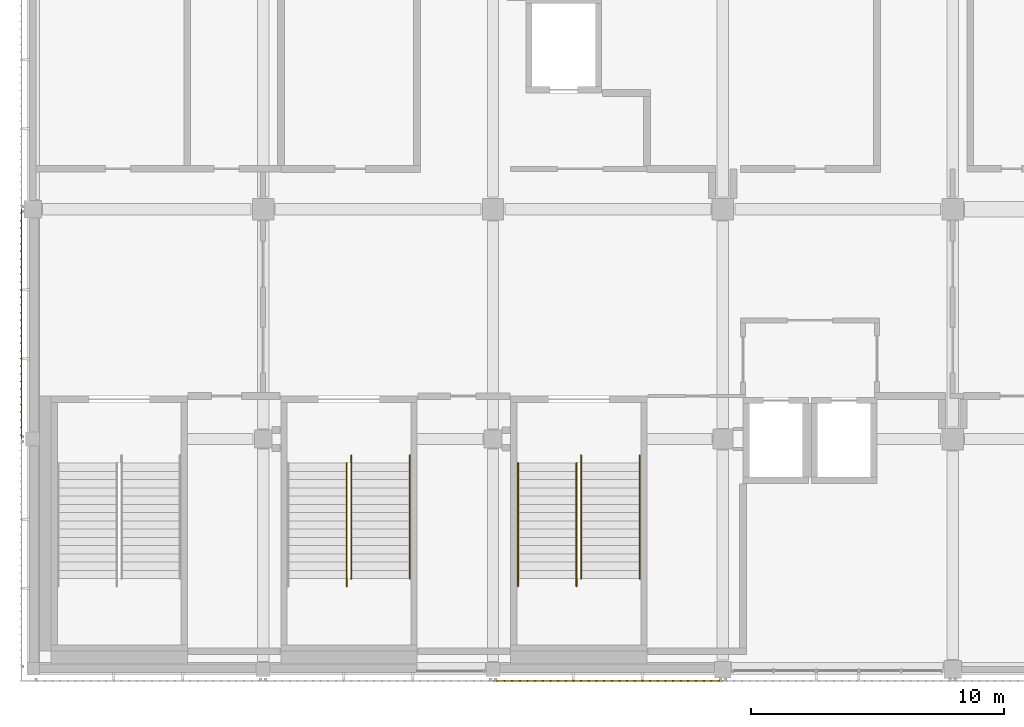
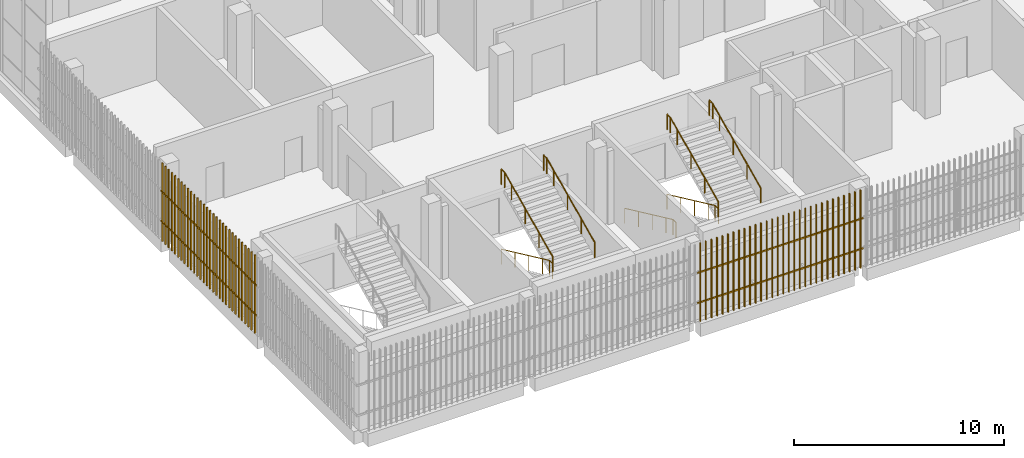
# One storey, part 108 of 126: 7 railings, 2 shading devices.
"""IFC4 building model written with IfcOpenShell, lengths in metres."""

import ifcopenshell
import ifcopenshell.guid

model = None  # the IFC model being written
_history = None  # IfcOwnerHistory: only IFC2X3 demands one
_inside = {}  # id of a spatial element -> (the spatial element, [elements in it])
_under = {}  # id of a project, library or spatial element -> (it, [spatial elements below it])
_declared = {}  # id of a project -> (the project, [libraries it declares])
_typed = {}  # id of a type object -> (the type object, [elements of that type])
_made_of = {}  # id of a material, layer set ... -> (it, [elements and type objects made of it])


def new_model(schema):
    """Start an empty IFC model of exactly this schema.

    Asked for "IFC4X3", IfcOpenShell would pick the latest addendum, in which some entities
    have other attributes; the version numbers below select the first issue.
    IFC2X3 requires an IfcOwnerHistory on every rooted entity: one is made here for all.
    """
    global model, _history
    if schema == "IFC4X3":
        model = ifcopenshell.file(schema_version=(4, 3, 0, 0))
    else:
        model = ifcopenshell.file(schema=schema)
    _inside.clear()
    _under.clear()
    _declared.clear()
    _typed.clear()
    _made_of.clear()
    _history = None
    if model.schema == "IFC2X3":
        org = make("IfcOrganization", Name="unknown")
        user = make(
            "IfcPersonAndOrganization",
            ThePerson=make("IfcPerson", FamilyName="unknown"),
            TheOrganization=org,
        )
        app = make(
            "IfcApplication",
            ApplicationDeveloper=org,
            Version="unknown",
            ApplicationFullName="unknown",
            ApplicationIdentifier="unknown",
        )
        _history = make(
            "IfcOwnerHistory",
            OwningUser=user,
            OwningApplication=app,
            ChangeAction="ADDED",
            CreationDate=0,
        )
    return model


def make(cls, **values):
    """One entity of the class cls with the attributes given. An attribute that is None is left unset."""
    return model.create_entity(
        cls, **{name: value for name, value in values.items() if value is not None}
    )


def rooted(cls, **values):
    """An entity with a GlobalId (a new one), such as an element, a storey or a relation."""
    return make(cls, GlobalId=ifcopenshell.guid.new(), OwnerHistory=_history, **values)


def si_unit(unit_type, name, prefix=None):
    """IfcSIUnit, for example si_unit("LENGTHUNIT", "METRE", prefix="MILLI")."""
    return make("IfcSIUnit", UnitType=unit_type, Prefix=prefix, Name=name)


def assignment(units):
    """IfcUnitAssignment: the units of a project."""
    return None if units is None else make("IfcUnitAssignment", Units=units)


def point(xyz):
    """IfcCartesianPoint."""
    return None if xyz is None else make("IfcCartesianPoint", Coordinates=xyz)


def direction(xyz):
    """IfcDirection."""
    return None if xyz is None else make("IfcDirection", DirectionRatios=xyz)


def frame(location, z_axis=None, x_axis=None):
    """IfcAxis2Placement3D, a coordinate frame: its origin and axes. An axis left out is left unset."""
    return make(
        "IfcAxis2Placement3D",
        Location=point(location),
        Axis=direction(z_axis),
        RefDirection=direction(x_axis),
    )


def frame_2d(location, x_axis=None):
    """IfcAxis2Placement2D, a coordinate frame in the plane: its origin and x axis."""
    return make(
        "IfcAxis2Placement2D", Location=point(location), RefDirection=direction(x_axis)
    )


def origin():
    """The frame at (0, 0, 0) with its axes left unset."""
    return frame((0.0, 0.0, 0.0))


def origin_2d():
    """The frame at (0, 0) in the plane with its x axis left unset."""
    return frame_2d((0.0, 0.0))


def place(relative_to, where):
    """IfcLocalPlacement: puts the frame where relative to a parent placement (None: the world)."""
    return make(
        "IfcLocalPlacement", PlacementRelTo=relative_to, RelativePlacement=where
    )


def context(
    kind, dimensions, precision=None, world=None, true_north=None, identifier=None
):
    """IfcGeometricRepresentationContext, for example the 3D "Model" context."""
    return make(
        "IfcGeometricRepresentationContext",
        ContextIdentifier=identifier,
        ContextType=kind,
        CoordinateSpaceDimension=dimensions,
        Precision=precision,
        WorldCoordinateSystem=world,
        TrueNorth=true_north,
    )


def subcontext(parent, identifier, kind, view, scale=None):
    """IfcGeometricRepresentationSubContext, for example "Body" below "Model"."""
    return make(
        "IfcGeometricRepresentationSubContext",
        ContextIdentifier=identifier,
        ContextType=kind,
        ParentContext=parent,
        TargetScale=scale,
        TargetView=view,
    )


def project(units=None, contexts=None):
    """IfcProject with its units and contexts."""
    return rooted(
        "IfcProject",
        Name="project",
        RepresentationContexts=contexts,
        UnitsInContext=assignment(units),
    )


def spatial(cls, under=None, at=None, **own):
    """A site, building, storey or space (cls), placed at a placement, below another one or the project."""
    s = rooted(cls, ObjectPlacement=at, **own)
    if under is not None:
        _under.setdefault(under.id(), (under, []))[1].append(s)
    return s


def profile(cls, at=None, kind="AREA", **sizes):
    """A parametric profile (cls). Its sizes go by their IFC names, for example OverallWidth=200.0."""
    return make(cls, ProfileType=kind, Position=at, **sizes)


def rectangle(**sizes):
    """IfcRectangleProfileDef."""
    return profile("IfcRectangleProfileDef", **sizes)


def circle(**sizes):
    """IfcCircleProfileDef."""
    return profile("IfcCircleProfileDef", **sizes)


def extrude(swept, where, along, depth):
    """IfcExtrudedAreaSolid: the profile swept, set in the frame where, extruded along a direction by depth."""
    return make(
        "IfcExtrudedAreaSolid",
        SweptArea=swept,
        Position=where,
        ExtrudedDirection=direction(along),
        Depth=depth,
    )


def shape(context_of_items, identifier, shape_type, items):
    """IfcShapeRepresentation: the items that make up one representation, for example the "Body"."""
    return make(
        "IfcShapeRepresentation",
        ContextOfItems=context_of_items,
        RepresentationIdentifier=identifier,
        RepresentationType=shape_type,
        Items=items,
    )


def material(Name=None, Category=None):
    """IfcMaterial."""
    return make("IfcMaterial", Name=Name, Category=Category)


def made_of(thing, what):
    """Note that an element or type object is made of a material, layer set ...; save() writes the relation."""
    if what is not None:
        _made_of.setdefault(what.id(), (what, []))[1].append(thing)
    return thing


def type_object(cls, material=None, **own):
    """A type object (cls), such as IfcWallType, which elements share."""
    return made_of(rooted(cls, **own), material)


def element(
    cls,
    number,
    at=None,
    inside=None,
    cuts=None,
    type_object=None,
    material=None,
    context=None,
    identifier="Body",
    shape_type=None,
    held_by="IfcProductDefinitionShape",
    body=None,
    shapes=None,
    **own,
):
    """One element of the class cls, such as IfcWall. Its Tag is "e" and its number.

    at: its placement. inside: the storey or other place that contains it. cuts: it is an
    opening in that element (IfcRelVoidsElement). A single representation is given by context,
    identifier, shape_type and body (its items); several are given by shapes. held_by: the class
    of the entity that holds the representations. save() writes the other relations.
    """
    e = rooted(cls, Tag="e%d" % number, ObjectPlacement=at, **own)
    if body is not None:
        shapes = [shape(context, identifier, shape_type, body)]
    if shapes is not None:
        e.Representation = make(held_by, Representations=shapes)
    if inside is not None:
        _inside.setdefault(inside.id(), (inside, []))[1].append(e)
    if cuts is not None:
        rooted(
            "IfcRelVoidsElement", RelatingBuildingElement=cuts, RelatedOpeningElement=e
        )
    if type_object is not None:
        _typed.setdefault(type_object.id(), (type_object, []))[1].append(e)
    return made_of(e, material)


def aggregate(whole, parts):
    """IfcRelAggregates: a whole, such as a stair, and the parts it consists of."""
    return rooted("IfcRelAggregates", RelatingObject=whole, RelatedObjects=parts)


def save(model, path):
    """Write the relations noted so far, then the file.

    IfcRelAggregates (storeys below a building ...), IfcRelContainedInSpatialStructure (elements
    in a storey), IfcRelDefinesByType, IfcRelAssociatesMaterial and IfcRelDeclares: one each for
    every whole, place, type object, material and project.
    """
    for whole, parts in _under.values():
        aggregate(whole, parts)
    for where, things in _inside.values():
        rooted(
            "IfcRelContainedInSpatialStructure",
            RelatedElements=things,
            RelatingStructure=where,
        )
    for kind, things in _typed.values():
        rooted("IfcRelDefinesByType", RelatedObjects=things, RelatingType=kind)
    for what, things in _made_of.values():
        rooted("IfcRelAssociatesMaterial", RelatedObjects=things, RelatingMaterial=what)
    for by, libraries in _declared.values():
        rooted("IfcRelDeclares", RelatingContext=by, RelatedDefinitions=libraries)
    model.write(path)


model = new_model("IFC4")

# Units and contexts
model_context = context("Model", 3, precision=1e-05, world=origin(), true_north=direction((0.0, 1.0)))
body_context = subcontext(model_context, "Body", "Model", "MODEL_VIEW")
ifc_project = project(units=[si_unit("LENGTHUNIT", "METRE"), si_unit("AREAUNIT", "SQUARE_METRE"), si_unit("VOLUMEUNIT", "CUBIC_METRE"), si_unit("PLANEANGLEUNIT", "RADIAN"), si_unit("MASSUNIT", "GRAM", prefix="KILO")], contexts=[model_context])

# Site, building, storey
site_placement = place(None, origin())
site = spatial("IfcSite", under=ifc_project, at=site_placement, CompositionType="ELEMENT")
building_placement = place(site_placement, origin())
building = spatial("IfcBuilding", under=site, at=building_placement, Name="Shirokan Park Arena", CompositionType="ELEMENT")
storey_placement = place(building_placement, frame((0.0, 0.0, 6.3701171875)))
storey = spatial("IfcBuildingStorey", under=building, at=storey_placement, Name="L01", CompositionType="ELEMENT", Elevation=6.3701171875)

# Railings
ifc_material_1 = material(Name="Stainless steel", Category="steel")
railing_type = type_object("IfcRailingType", Name="Stair handrail 900", PredefinedType="HANDRAIL", material=ifc_material_1)
railing_1_placement = place(storey_placement, frame((12.409912109375, 8.14990234375, 0.151611328125)))
element("IfcRailing", 1, at=railing_1_placement, inside=storey, type_object=railing_type, Name="Handrail Exit Stair 1.B L01 to L02", PredefinedType="HANDRAIL", context=body_context, shape_type="SweptSolid", body=[
    extrude(circle(Radius=0.02392578125, at=origin_2d()), frame((0.0, 0.0, 0.8759765625), z_axis=(0.0, -0.906999720516, 0.421131222998), x_axis=(1.0, 0.0, 0.0)), (0.0, 0.0, 1.0), 1.440673828125),
    extrude(circle(Radius=0.02392578125, at=origin_2d()), frame((0.0, -1.306640625, 1.482421875), z_axis=(0.0, -0.907029769225, 0.421066500378), x_axis=(1.0, 0.0, 0.0)), (0.0, 0.0, 1.0), 1.44091796875),
    extrude(circle(Radius=0.02392578125, at=origin_2d()), frame((0.0, -2.613525390625, 2.08935546875), z_axis=(0.0, -0.907094476872, 0.420927083981), x_axis=(1.0, 0.0, 0.0)), (0.0, 0.0, 1.0), 1.440673828125),
    extrude(circle(Radius=0.02392578125, at=origin_2d()), frame((0.0, -3.92041015625, 2.69580078125), z_axis=(0.0, -0.906934982928, 0.421270621741), x_axis=(1.0, 0.0, 0.0)), (0.0, 0.0, 1.0), 0.720458984375),
    extrude(circle(Radius=0.02392578125, at=origin_2d()), frame((0.0, -4.57373046875, 2.9990234375), z_axis=(0.0, -1.0, 0.0), x_axis=(1.0, 0.0, 0.0)), (0.0, 0.0, 1.0), 0.300048828125),
    extrude(circle(Radius=0.02099609375, at=origin_2d()), origin(), (0.0, 0.0, 1.0), 0.851806640625),
    extrude(circle(Radius=0.02099609375, at=origin_2d()), frame((0.0, -1.306640625, 0.606689453125)), (0.0, 0.0, 1.0), 0.851806640625),
    extrude(circle(Radius=0.02099609375, at=origin_2d()), frame((0.0, -2.613525390625, 1.21337890625)), (0.0, 0.0, 1.0), 0.851806640625),
    extrude(circle(Radius=0.02099609375, at=origin_2d()), frame((0.0, -3.92041015625, 1.81982421875)), (0.0, 0.0, 1.0), 0.851806640625),
    extrude(circle(Radius=0.02099609375, at=origin_2d()), frame((0.0, -4.57373046875, 2.123291015625)), (0.0, 0.0, 1.0), 0.851806640625),
    extrude(circle(Radius=0.02099609375, at=origin_2d()), frame((0.0, -4.873779296875, 2.123291015625)), (0.0, 0.0, 1.0), 0.851806640625),
])
railing_2_placement = place(storey_placement, frame((12.590087890625, 3.576171875, 2.426513671875)))
element("IfcRailing", 2, at=railing_2_placement, inside=storey, type_object=railing_type, Name="Handrail Exit Stair 1.B L01 to L02", PredefinedType="HANDRAIL", context=body_context, shape_type="SweptSolid", body=[
    extrude(circle(Radius=0.02392578125, at=origin_2d()), frame((0.0, 0.0, 0.8759765625), z_axis=(0.0, 0.907029769225, 0.421066500378), x_axis=(-1.0, 0.0, 0.0)), (0.0, 0.0, 1.0), 1.44091796875),
    extrude(circle(Radius=0.02392578125, at=origin_2d()), frame((0.0, 1.306884765625, 1.482421875), z_axis=(0.0, 0.906999720516, 0.421131222998), x_axis=(-1.0, 0.0, 0.0)), (0.0, 0.0, 1.0), 1.440673828125),
    extrude(circle(Radius=0.02392578125, at=origin_2d()), frame((0.0, 2.613525390625, 2.08935546875), z_axis=(0.0, 0.907029769225, 0.421066500378), x_axis=(-1.0, 0.0, 0.0)), (0.0, 0.0, 1.0), 1.44091796875),
    extrude(circle(Radius=0.02392578125, at=origin_2d()), frame((0.0, 3.92041015625, 2.69580078125), z_axis=(0.0, 0.907064445915, 0.420991794405), x_axis=(-1.0, 0.0, 0.0)), (0.0, 0.0, 1.0), 0.72021484375),
    extrude(circle(Radius=0.02392578125, at=origin_2d()), frame((0.0, 4.57373046875, 2.9990234375), z_axis=(0.0, 1.0, 0.0), x_axis=(-1.0, 0.0, 0.0)), (0.0, 0.0, 1.0), 0.300048828125),
    extrude(circle(Radius=0.02099609375, at=origin_2d()), origin(), (0.0, 0.0, 1.0), 0.851806640625),
    extrude(circle(Radius=0.02099609375, at=origin_2d()), frame((0.0, 1.306884765625, 0.606689453125)), (0.0, 0.0, 1.0), 0.851806640625),
    extrude(circle(Radius=0.02099609375, at=origin_2d()), frame((0.0, 2.613525390625, 1.21337890625)), (0.0, 0.0, 1.0), 0.851806640625),
    extrude(circle(Radius=0.02099609375, at=origin_2d()), frame((0.0, 3.92041015625, 1.820068359375)), (0.0, 0.0, 1.0), 0.851806640625),
    extrude(circle(Radius=0.02099609375, at=origin_2d()), frame((0.0, 4.57373046875, 2.123291015625)), (0.0, 0.0, 1.0), 0.851806640625),
    extrude(circle(Radius=0.02099609375, at=origin_2d()), frame((0.0, 4.873779296875, 2.123291015625)), (0.0, 0.0, 1.0), 0.851806640625),
])
railing_3_placement = place(storey_placement, frame((14.909912109375, 3.576171875, 2.426513671875)))
element("IfcRailing", 3, at=railing_3_placement, inside=storey, type_object=railing_type, Name="Handrail Exit Stair 1.B L01 to L02", PredefinedType="HANDRAIL", context=body_context, shape_type="SweptSolid", body=[
    extrude(circle(Radius=0.02392578125, at=origin_2d()), frame((0.0, 0.0, 0.8759765625), z_axis=(0.0, 0.907029769225, 0.421066500378), x_axis=(-1.0, 0.0, 0.0)), (0.0, 0.0, 1.0), 1.44091796875),
    extrude(circle(Radius=0.02392578125, at=origin_2d()), frame((0.0, 1.306884765625, 1.482421875), z_axis=(0.0, 0.906999720516, 0.421131222998), x_axis=(-1.0, 0.0, 0.0)), (0.0, 0.0, 1.0), 1.440673828125),
    extrude(circle(Radius=0.02392578125, at=origin_2d()), frame((0.0, 2.613525390625, 2.08935546875), z_axis=(0.0, 0.907029769225, 0.421066500378), x_axis=(-1.0, 0.0, 0.0)), (0.0, 0.0, 1.0), 1.44091796875),
    extrude(circle(Radius=0.02392578125, at=origin_2d()), frame((0.0, 3.92041015625, 2.69580078125), z_axis=(0.0, 0.907064445915, 0.420991794405), x_axis=(-1.0, 0.0, 0.0)), (0.0, 0.0, 1.0), 0.72021484375),
    extrude(circle(Radius=0.02392578125, at=origin_2d()), frame((0.0, 4.57373046875, 2.9990234375), z_axis=(0.0, 1.0, 0.0), x_axis=(-1.0, 0.0, 0.0)), (0.0, 0.0, 1.0), 0.300048828125),
    extrude(circle(Radius=0.02099609375, at=origin_2d()), origin(), (0.0, 0.0, 1.0), 0.851806640625),
    extrude(circle(Radius=0.02099609375, at=origin_2d()), frame((0.0, 1.306884765625, 0.606689453125)), (0.0, 0.0, 1.0), 0.851806640625),
    extrude(circle(Radius=0.02099609375, at=origin_2d()), frame((0.0, 2.613525390625, 1.21337890625)), (0.0, 0.0, 1.0), 0.851806640625),
    extrude(circle(Radius=0.02099609375, at=origin_2d()), frame((0.0, 3.92041015625, 1.820068359375)), (0.0, 0.0, 1.0), 0.851806640625),
    extrude(circle(Radius=0.02099609375, at=origin_2d()), frame((0.0, 4.57373046875, 2.123291015625)), (0.0, 0.0, 1.0), 0.851806640625),
    extrude(circle(Radius=0.02099609375, at=origin_2d()), frame((0.0, 4.873779296875, 2.123291015625)), (0.0, 0.0, 1.0), 0.851806640625),
])
railing_4_placement = place(storey_placement, frame((19.18994140625, 8.14990234375, 0.151611328125)))
element("IfcRailing", 4, at=railing_4_placement, inside=storey, type_object=railing_type, Name="Handrail Exit Stair 1.C L01 to L02", PredefinedType="HANDRAIL", context=body_context, shape_type="SweptSolid", body=[
    extrude(circle(Radius=0.02392578125, at=origin_2d()), frame((0.0, 0.0, 0.8759765625), z_axis=(0.0, -0.906999720516, 0.421131222998), x_axis=(1.0, 0.0, 0.0)), (0.0, 0.0, 1.0), 1.440673828125),
    extrude(circle(Radius=0.02392578125, at=origin_2d()), frame((0.0, -1.306640625, 1.482421875), z_axis=(0.0, -0.907029769225, 0.421066500378), x_axis=(1.0, 0.0, 0.0)), (0.0, 0.0, 1.0), 1.44091796875),
    extrude(circle(Radius=0.02392578125, at=origin_2d()), frame((0.0, -2.613525390625, 2.08935546875), z_axis=(0.0, -0.907094476872, 0.420927083981), x_axis=(1.0, 0.0, 0.0)), (0.0, 0.0, 1.0), 1.440673828125),
    extrude(circle(Radius=0.02392578125, at=origin_2d()), frame((0.0, -3.92041015625, 2.69580078125), z_axis=(0.0, -0.906934982928, 0.421270621741), x_axis=(1.0, 0.0, 0.0)), (0.0, 0.0, 1.0), 0.720458984375),
    extrude(circle(Radius=0.02392578125, at=origin_2d()), frame((0.0, -4.57373046875, 2.9990234375), z_axis=(0.0, -1.0, 0.0), x_axis=(1.0, 0.0, 0.0)), (0.0, 0.0, 1.0), 0.300048828125),
    extrude(circle(Radius=0.02099609375, at=origin_2d()), origin(), (0.0, 0.0, 1.0), 0.851806640625),
    extrude(circle(Radius=0.02099609375, at=origin_2d()), frame((0.0, -1.306640625, 0.606689453125)), (0.0, 0.0, 1.0), 0.851806640625),
    extrude(circle(Radius=0.02099609375, at=origin_2d()), frame((0.0, -2.613525390625, 1.21337890625)), (0.0, 0.0, 1.0), 0.851806640625),
    extrude(circle(Radius=0.02099609375, at=origin_2d()), frame((0.0, -3.92041015625, 1.81982421875)), (0.0, 0.0, 1.0), 0.851806640625),
    extrude(circle(Radius=0.02099609375, at=origin_2d()), frame((0.0, -4.57373046875, 2.123291015625)), (0.0, 0.0, 1.0), 0.851806640625),
    extrude(circle(Radius=0.02099609375, at=origin_2d()), frame((0.0, -4.873779296875, 2.123291015625)), (0.0, 0.0, 1.0), 0.851806640625),
])
railing_5_placement = place(storey_placement, frame((21.510009765625, 8.14990234375, 0.151611328125)))
element("IfcRailing", 5, at=railing_5_placement, inside=storey, type_object=railing_type, Name="Handrail Exit Stair 1.C L01 to L02", PredefinedType="HANDRAIL", context=body_context, shape_type="SweptSolid", body=[
    extrude(circle(Radius=0.02392578125, at=origin_2d()), frame((0.0, 0.0, 0.8759765625), z_axis=(0.0, -0.906999720516, 0.421131222998), x_axis=(1.0, 0.0, 0.0)), (0.0, 0.0, 1.0), 1.440673828125),
    extrude(circle(Radius=0.02392578125, at=origin_2d()), frame((0.0, -1.306640625, 1.482421875), z_axis=(0.0, -0.907029769225, 0.421066500378), x_axis=(1.0, 0.0, 0.0)), (0.0, 0.0, 1.0), 1.44091796875),
    extrude(circle(Radius=0.02392578125, at=origin_2d()), frame((0.0, -2.613525390625, 2.08935546875), z_axis=(0.0, -0.907094476872, 0.420927083981), x_axis=(1.0, 0.0, 0.0)), (0.0, 0.0, 1.0), 1.440673828125),
    extrude(circle(Radius=0.02392578125, at=origin_2d()), frame((0.0, -3.92041015625, 2.69580078125), z_axis=(0.0, -0.906934982928, 0.421270621741), x_axis=(1.0, 0.0, 0.0)), (0.0, 0.0, 1.0), 0.720458984375),
    extrude(circle(Radius=0.02392578125, at=origin_2d()), frame((0.0, -4.57373046875, 2.9990234375), z_axis=(0.0, -1.0, 0.0), x_axis=(1.0, 0.0, 0.0)), (0.0, 0.0, 1.0), 0.300048828125),
    extrude(circle(Radius=0.02099609375, at=origin_2d()), origin(), (0.0, 0.0, 1.0), 0.851806640625),
    extrude(circle(Radius=0.02099609375, at=origin_2d()), frame((0.0, -1.306640625, 0.606689453125)), (0.0, 0.0, 1.0), 0.851806640625),
    extrude(circle(Radius=0.02099609375, at=origin_2d()), frame((0.0, -2.613525390625, 1.21337890625)), (0.0, 0.0, 1.0), 0.851806640625),
    extrude(circle(Radius=0.02099609375, at=origin_2d()), frame((0.0, -3.92041015625, 1.81982421875)), (0.0, 0.0, 1.0), 0.851806640625),
    extrude(circle(Radius=0.02099609375, at=origin_2d()), frame((0.0, -4.57373046875, 2.123291015625)), (0.0, 0.0, 1.0), 0.851806640625),
    extrude(circle(Radius=0.02099609375, at=origin_2d()), frame((0.0, -4.873779296875, 2.123291015625)), (0.0, 0.0, 1.0), 0.851806640625),
])
railing_6_placement = place(storey_placement, frame((21.68994140625, 3.576171875, 2.426513671875)))
element("IfcRailing", 6, at=railing_6_placement, inside=storey, type_object=railing_type, Name="Handrail Exit Stair 1.C L01 to L02", PredefinedType="HANDRAIL", context=body_context, shape_type="SweptSolid", body=[
    extrude(circle(Radius=0.02392578125, at=origin_2d()), frame((0.0, 0.0, 0.8759765625), z_axis=(0.0, 0.907029769225, 0.421066500378), x_axis=(-1.0, 0.0, 0.0)), (0.0, 0.0, 1.0), 1.44091796875),
    extrude(circle(Radius=0.02392578125, at=origin_2d()), frame((0.0, 1.306884765625, 1.482421875), z_axis=(0.0, 0.906999720516, 0.421131222998), x_axis=(-1.0, 0.0, 0.0)), (0.0, 0.0, 1.0), 1.440673828125),
    extrude(circle(Radius=0.02392578125, at=origin_2d()), frame((0.0, 2.613525390625, 2.08935546875), z_axis=(0.0, 0.907029769225, 0.421066500378), x_axis=(-1.0, 0.0, 0.0)), (0.0, 0.0, 1.0), 1.44091796875),
    extrude(circle(Radius=0.02392578125, at=origin_2d()), frame((0.0, 3.92041015625, 2.69580078125), z_axis=(0.0, 0.907064445915, 0.420991794405), x_axis=(-1.0, 0.0, 0.0)), (0.0, 0.0, 1.0), 0.72021484375),
    extrude(circle(Radius=0.02392578125, at=origin_2d()), frame((0.0, 4.57373046875, 2.9990234375), z_axis=(0.0, 1.0, 0.0), x_axis=(-1.0, 0.0, 0.0)), (0.0, 0.0, 1.0), 0.300048828125),
    extrude(circle(Radius=0.02099609375, at=origin_2d()), origin(), (0.0, 0.0, 1.0), 0.851806640625),
    extrude(circle(Radius=0.02099609375, at=origin_2d()), frame((0.0, 1.306884765625, 0.606689453125)), (0.0, 0.0, 1.0), 0.851806640625),
    extrude(circle(Radius=0.02099609375, at=origin_2d()), frame((0.0, 2.613525390625, 1.21337890625)), (0.0, 0.0, 1.0), 0.851806640625),
    extrude(circle(Radius=0.02099609375, at=origin_2d()), frame((0.0, 3.92041015625, 1.820068359375)), (0.0, 0.0, 1.0), 0.851806640625),
    extrude(circle(Radius=0.02099609375, at=origin_2d()), frame((0.0, 4.57373046875, 2.123291015625)), (0.0, 0.0, 1.0), 0.851806640625),
    extrude(circle(Radius=0.02099609375, at=origin_2d()), frame((0.0, 4.873779296875, 2.123291015625)), (0.0, 0.0, 1.0), 0.851806640625),
])
railing_7_placement = place(storey_placement, frame((24.010009765625, 3.576171875, 2.426513671875)))
element("IfcRailing", 7, at=railing_7_placement, inside=storey, type_object=railing_type, Name="Handrail Exit Stair 1.C L01 to L02", PredefinedType="HANDRAIL", context=body_context, shape_type="SweptSolid", body=[
    extrude(circle(Radius=0.02392578125, at=origin_2d()), frame((0.0, 0.0, 0.8759765625), z_axis=(0.0, 0.907029769225, 0.421066500378), x_axis=(-1.0, 0.0, 0.0)), (0.0, 0.0, 1.0), 1.44091796875),
    extrude(circle(Radius=0.02392578125, at=origin_2d()), frame((0.0, 1.306884765625, 1.482421875), z_axis=(0.0, 0.906999720516, 0.421131222998), x_axis=(-1.0, 0.0, 0.0)), (0.0, 0.0, 1.0), 1.440673828125),
    extrude(circle(Radius=0.02392578125, at=origin_2d()), frame((0.0, 2.613525390625, 2.08935546875), z_axis=(0.0, 0.907029769225, 0.421066500378), x_axis=(-1.0, 0.0, 0.0)), (0.0, 0.0, 1.0), 1.44091796875),
    extrude(circle(Radius=0.02392578125, at=origin_2d()), frame((0.0, 3.92041015625, 2.69580078125), z_axis=(0.0, 0.907064445915, 0.420991794405), x_axis=(-1.0, 0.0, 0.0)), (0.0, 0.0, 1.0), 0.72021484375),
    extrude(circle(Radius=0.02392578125, at=origin_2d()), frame((0.0, 4.57373046875, 2.9990234375), z_axis=(0.0, 1.0, 0.0), x_axis=(-1.0, 0.0, 0.0)), (0.0, 0.0, 1.0), 0.300048828125),
    extrude(circle(Radius=0.02099609375, at=origin_2d()), origin(), (0.0, 0.0, 1.0), 0.851806640625),
    extrude(circle(Radius=0.02099609375, at=origin_2d()), frame((0.0, 1.306884765625, 0.606689453125)), (0.0, 0.0, 1.0), 0.851806640625),
    extrude(circle(Radius=0.02099609375, at=origin_2d()), frame((0.0, 2.613525390625, 1.21337890625)), (0.0, 0.0, 1.0), 0.851806640625),
    extrude(circle(Radius=0.02099609375, at=origin_2d()), frame((0.0, 3.92041015625, 1.820068359375)), (0.0, 0.0, 1.0), 0.851806640625),
    extrude(circle(Radius=0.02099609375, at=origin_2d()), frame((0.0, 4.57373046875, 2.123291015625)), (0.0, 0.0, 1.0), 0.851806640625),
    extrude(circle(Radius=0.02099609375, at=origin_2d()), frame((0.0, 4.873779296875, 2.123291015625)), (0.0, 0.0, 1.0), 0.851806640625),
])

# Shading devices
ifc_material_2 = material(Name="Timber louvre veil (cedar)", Category="wood")
shading_device_type = type_object("IfcShadingDeviceType", Name="Timber louvre veil panel", PredefinedType="JALOUSIE", material=ifc_material_2)
shading_device_1_placement = place(storey_placement, origin())
element("IfcShadingDevice", 8, at=shading_device_1_placement, inside=storey, type_object=shading_device_type, Name="Timber louvre veil south bay 3 L01", PredefinedType="JALOUSIE", context=body_context, shape_type="SweptSolid", body=[
    extrude(rectangle(XDim=0.050048828125, YDim=0.080078125, at=origin_2d()), frame((18.3515625, -0.485107421875, 0.0), z_axis=(0.0, 0.0, 1.0), x_axis=(1.0, 0.0, 0.0)), (0.0, 0.0, 1.0), 4.550048828125),
    extrude(rectangle(XDim=0.050048828125, YDim=0.080078125, at=origin_2d()), frame((18.655029296875, -0.485107421875, 0.0), z_axis=(0.0, 0.0, 1.0), x_axis=(1.0, 0.0, 0.0)), (0.0, 0.0, 1.0), 4.550048828125),
    extrude(rectangle(XDim=0.050048828125, YDim=0.080078125, at=origin_2d()), frame((18.958251953125, -0.485107421875, 0.0), z_axis=(0.0, 0.0, 1.0), x_axis=(1.0, 0.0, 0.0)), (0.0, 0.0, 1.0), 4.550048828125),
    extrude(rectangle(XDim=0.050048828125, YDim=0.080078125, at=origin_2d()), frame((19.26171875, -0.485107421875, 0.0), z_axis=(0.0, 0.0, 1.0), x_axis=(1.0, 0.0, 0.0)), (0.0, 0.0, 1.0), 4.550048828125),
    extrude(rectangle(XDim=0.050048828125, YDim=0.080078125, at=origin_2d()), frame((19.56494140625, -0.485107421875, 0.0), z_axis=(0.0, 0.0, 1.0), x_axis=(1.0, 0.0, 0.0)), (0.0, 0.0, 1.0), 4.550048828125),
    extrude(rectangle(XDim=0.050048828125, YDim=0.080078125, at=origin_2d()), frame((19.868408203125, -0.485107421875, 0.0), z_axis=(0.0, 0.0, 1.0), x_axis=(1.0, 0.0, 0.0)), (0.0, 0.0, 1.0), 4.550048828125),
    extrude(rectangle(XDim=0.050048828125, YDim=0.080078125, at=origin_2d()), frame((20.171630859375, -0.485107421875, 0.0), z_axis=(0.0, 0.0, 1.0), x_axis=(1.0, 0.0, 0.0)), (0.0, 0.0, 1.0), 4.550048828125),
    extrude(rectangle(XDim=0.050048828125, YDim=0.080078125, at=origin_2d()), frame((20.47509765625, -0.485107421875, 0.0), z_axis=(0.0, 0.0, 1.0), x_axis=(1.0, 0.0, 0.0)), (0.0, 0.0, 1.0), 4.550048828125),
    extrude(rectangle(XDim=0.050048828125, YDim=0.080078125, at=origin_2d()), frame((20.7783203125, -0.485107421875, 0.0), z_axis=(0.0, 0.0, 1.0), x_axis=(1.0, 0.0, 0.0)), (0.0, 0.0, 1.0), 4.550048828125),
    extrude(rectangle(XDim=0.050048828125, YDim=0.080078125, at=origin_2d()), frame((21.081787109375, -0.485107421875, 0.0), z_axis=(0.0, 0.0, 1.0), x_axis=(1.0, 0.0, 0.0)), (0.0, 0.0, 1.0), 4.550048828125),
    extrude(rectangle(XDim=0.050048828125, YDim=0.080078125, at=origin_2d()), frame((21.385009765625, -0.485107421875, 0.0), z_axis=(0.0, 0.0, 1.0), x_axis=(1.0, 0.0, 0.0)), (0.0, 0.0, 1.0), 4.550048828125),
    extrude(rectangle(XDim=0.050048828125, YDim=0.080078125, at=origin_2d()), frame((21.688232421875, -0.485107421875, 0.0), z_axis=(0.0, 0.0, 1.0), x_axis=(1.0, 0.0, 0.0)), (0.0, 0.0, 1.0), 4.550048828125),
    extrude(rectangle(XDim=0.050048828125, YDim=0.080078125, at=origin_2d()), frame((21.99169921875, -0.485107421875, 0.0), z_axis=(0.0, 0.0, 1.0), x_axis=(1.0, 0.0, 0.0)), (0.0, 0.0, 1.0), 4.550048828125),
    extrude(rectangle(XDim=0.050048828125, YDim=0.080078125, at=origin_2d()), frame((22.294921875, -0.485107421875, 0.0), z_axis=(0.0, 0.0, 1.0), x_axis=(1.0, 0.0, 0.0)), (0.0, 0.0, 1.0), 4.550048828125),
    extrude(rectangle(XDim=0.050048828125, YDim=0.080078125, at=origin_2d()), frame((22.598388671875, -0.485107421875, 0.0), z_axis=(0.0, 0.0, 1.0), x_axis=(1.0, 0.0, 0.0)), (0.0, 0.0, 1.0), 4.550048828125),
    extrude(rectangle(XDim=0.050048828125, YDim=0.080078125, at=origin_2d()), frame((22.901611328125, -0.485107421875, 0.0), z_axis=(0.0, 0.0, 1.0), x_axis=(1.0, 0.0, 0.0)), (0.0, 0.0, 1.0), 4.550048828125),
    extrude(rectangle(XDim=0.050048828125, YDim=0.080078125, at=origin_2d()), frame((23.205078125, -0.485107421875, 0.0), z_axis=(0.0, 0.0, 1.0), x_axis=(1.0, 0.0, 0.0)), (0.0, 0.0, 1.0), 4.550048828125),
    extrude(rectangle(XDim=0.050048828125, YDim=0.080078125, at=origin_2d()), frame((23.50830078125, -0.485107421875, 0.0), z_axis=(0.0, 0.0, 1.0), x_axis=(1.0, 0.0, 0.0)), (0.0, 0.0, 1.0), 4.550048828125),
    extrude(rectangle(XDim=0.050048828125, YDim=0.080078125, at=origin_2d()), frame((23.811767578125, -0.485107421875, 0.0), z_axis=(0.0, 0.0, 1.0), x_axis=(1.0, 0.0, 0.0)), (0.0, 0.0, 1.0), 4.550048828125),
    extrude(rectangle(XDim=0.050048828125, YDim=0.080078125, at=origin_2d()), frame((24.114990234375, -0.485107421875, 0.0), z_axis=(0.0, 0.0, 1.0), x_axis=(1.0, 0.0, 0.0)), (0.0, 0.0, 1.0), 4.550048828125),
    extrude(rectangle(XDim=0.050048828125, YDim=0.080078125, at=origin_2d()), frame((24.418212890625, -0.485107421875, 0.0), z_axis=(0.0, 0.0, 1.0), x_axis=(1.0, 0.0, 0.0)), (0.0, 0.0, 1.0), 4.550048828125),
    extrude(rectangle(XDim=0.050048828125, YDim=0.080078125, at=origin_2d()), frame((24.7216796875, -0.485107421875, 0.0), z_axis=(0.0, 0.0, 1.0), x_axis=(1.0, 0.0, 0.0)), (0.0, 0.0, 1.0), 4.550048828125),
    extrude(rectangle(XDim=0.050048828125, YDim=0.080078125, at=origin_2d()), frame((25.02490234375, -0.485107421875, 0.0), z_axis=(0.0, 0.0, 1.0), x_axis=(1.0, 0.0, 0.0)), (0.0, 0.0, 1.0), 4.550048828125),
    extrude(rectangle(XDim=0.050048828125, YDim=0.080078125, at=origin_2d()), frame((25.328369140625, -0.485107421875, 0.0), z_axis=(0.0, 0.0, 1.0), x_axis=(1.0, 0.0, 0.0)), (0.0, 0.0, 1.0), 4.550048828125),
    extrude(rectangle(XDim=0.050048828125, YDim=0.080078125, at=origin_2d()), frame((25.631591796875, -0.485107421875, 0.0), z_axis=(0.0, 0.0, 1.0), x_axis=(1.0, 0.0, 0.0)), (0.0, 0.0, 1.0), 4.550048828125),
    extrude(rectangle(XDim=0.050048828125, YDim=0.080078125, at=origin_2d()), frame((25.93505859375, -0.485107421875, 0.0), z_axis=(0.0, 0.0, 1.0), x_axis=(1.0, 0.0, 0.0)), (0.0, 0.0, 1.0), 4.550048828125),
    extrude(rectangle(XDim=0.050048828125, YDim=0.080078125, at=origin_2d()), frame((26.23828125, -0.485107421875, 0.0), z_axis=(0.0, 0.0, 1.0), x_axis=(1.0, 0.0, 0.0)), (0.0, 0.0, 1.0), 4.550048828125),
    extrude(rectangle(XDim=0.050048828125, YDim=0.080078125, at=origin_2d()), frame((26.541748046875, -0.485107421875, 0.0), z_axis=(0.0, 0.0, 1.0), x_axis=(1.0, 0.0, 0.0)), (0.0, 0.0, 1.0), 4.550048828125),
    extrude(rectangle(XDim=0.050048828125, YDim=0.080078125, at=origin_2d()), frame((26.844970703125, -0.485107421875, 0.0), z_axis=(0.0, 0.0, 1.0), x_axis=(1.0, 0.0, 0.0)), (0.0, 0.0, 1.0), 4.550048828125),
    extrude(rectangle(XDim=0.050048828125, YDim=0.080078125, at=origin_2d()), frame((27.1484375, -0.485107421875, 0.0), z_axis=(0.0, 0.0, 1.0), x_axis=(1.0, 0.0, 0.0)), (0.0, 0.0, 1.0), 4.550048828125),
    extrude(rectangle(XDim=9.10009765625, YDim=0.050048828125, at=origin_2d()), frame((22.75, -0.469970703125, 1.059814453125), z_axis=(0.0, 0.0, 1.0), x_axis=(1.0, 0.0, 0.0)), (0.0, 0.0, 1.0), 0.080078125),
    extrude(rectangle(XDim=9.10009765625, YDim=0.050048828125, at=origin_2d()), frame((22.75, -0.469970703125, 2.809814453125), z_axis=(0.0, 0.0, 1.0), x_axis=(1.0, 0.0, 0.0)), (0.0, 0.0, 1.0), 0.080078125),
])
shading_device_2_placement = place(storey_placement, origin())
element("IfcShadingDevice", 9, at=shading_device_2_placement, inside=storey, type_object=shading_device_type, Name="Timber louvre veil west bay 11 L01", PredefinedType="JALOUSIE", context=body_context, shape_type="SweptSolid", body=[
    extrude(rectangle(XDim=0.050048828125, YDim=0.080078125, at=origin_2d()), frame((-0.485107421875, 18.04833984375, 0.0), z_axis=(0.0, 0.0, 1.0), x_axis=(0.0, -1.0, 0.0)), (0.0, 0.0, 1.0), 4.550048828125),
    extrude(rectangle(XDim=0.050048828125, YDim=0.080078125, at=origin_2d()), frame((-0.485107421875, 17.7451171875, 0.0), z_axis=(0.0, 0.0, 1.0), x_axis=(0.0, -1.0, 0.0)), (0.0, 0.0, 1.0), 4.550048828125),
    extrude(rectangle(XDim=0.050048828125, YDim=0.080078125, at=origin_2d()), frame((-0.485107421875, 17.441650390625, 0.0), z_axis=(0.0, 0.0, 1.0), x_axis=(0.0, -1.0, 0.0)), (0.0, 0.0, 1.0), 4.550048828125),
    extrude(rectangle(XDim=0.050048828125, YDim=0.080078125, at=origin_2d()), frame((-0.485107421875, 17.138427734375, 0.0), z_axis=(0.0, 0.0, 1.0), x_axis=(0.0, -1.0, 0.0)), (0.0, 0.0, 1.0), 4.550048828125),
    extrude(rectangle(XDim=0.050048828125, YDim=0.080078125, at=origin_2d()), frame((-0.485107421875, 16.8349609375, 0.0), z_axis=(0.0, 0.0, 1.0), x_axis=(0.0, -1.0, 0.0)), (0.0, 0.0, 1.0), 4.550048828125),
    extrude(rectangle(XDim=0.050048828125, YDim=0.080078125, at=origin_2d()), frame((-0.485107421875, 16.53173828125, 0.0), z_axis=(0.0, 0.0, 1.0), x_axis=(0.0, -1.0, 0.0)), (0.0, 0.0, 1.0), 4.550048828125),
    extrude(rectangle(XDim=0.050048828125, YDim=0.080078125, at=origin_2d()), frame((-0.485107421875, 16.228271484375, 0.0), z_axis=(0.0, 0.0, 1.0), x_axis=(0.0, -1.0, 0.0)), (0.0, 0.0, 1.0), 4.550048828125),
    extrude(rectangle(XDim=0.050048828125, YDim=0.080078125, at=origin_2d()), frame((-0.485107421875, 15.925048828125, 0.0), z_axis=(0.0, 0.0, 1.0), x_axis=(0.0, -1.0, 0.0)), (0.0, 0.0, 1.0), 4.550048828125),
    extrude(rectangle(XDim=0.050048828125, YDim=0.080078125, at=origin_2d()), frame((-0.485107421875, 15.62158203125, 0.0), z_axis=(0.0, 0.0, 1.0), x_axis=(0.0, -1.0, 0.0)), (0.0, 0.0, 1.0), 4.550048828125),
    extrude(rectangle(XDim=0.050048828125, YDim=0.080078125, at=origin_2d()), frame((-0.485107421875, 15.318359375, 0.0), z_axis=(0.0, 0.0, 1.0), x_axis=(0.0, -1.0, 0.0)), (0.0, 0.0, 1.0), 4.550048828125),
    extrude(rectangle(XDim=0.050048828125, YDim=0.080078125, at=origin_2d()), frame((-0.485107421875, 15.014892578125, 0.0), z_axis=(0.0, 0.0, 1.0), x_axis=(0.0, -1.0, 0.0)), (0.0, 0.0, 1.0), 4.550048828125),
    extrude(rectangle(XDim=0.050048828125, YDim=0.080078125, at=origin_2d()), frame((-0.485107421875, 14.711669921875, 0.0), z_axis=(0.0, 0.0, 1.0), x_axis=(0.0, -1.0, 0.0)), (0.0, 0.0, 1.0), 4.550048828125),
    extrude(rectangle(XDim=0.050048828125, YDim=0.080078125, at=origin_2d()), frame((-0.485107421875, 14.408447265625, 0.0), z_axis=(0.0, 0.0, 1.0), x_axis=(0.0, -1.0, 0.0)), (0.0, 0.0, 1.0), 4.550048828125),
    extrude(rectangle(XDim=0.050048828125, YDim=0.080078125, at=origin_2d()), frame((-0.485107421875, 14.10498046875, 0.0), z_axis=(0.0, 0.0, 1.0), x_axis=(0.0, -1.0, 0.0)), (0.0, 0.0, 1.0), 4.550048828125),
    extrude(rectangle(XDim=0.050048828125, YDim=0.080078125, at=origin_2d()), frame((-0.485107421875, 13.8017578125, 0.0), z_axis=(0.0, 0.0, 1.0), x_axis=(0.0, -1.0, 0.0)), (0.0, 0.0, 1.0), 4.550048828125),
    extrude(rectangle(XDim=0.050048828125, YDim=0.080078125, at=origin_2d()), frame((-0.485107421875, 13.498291015625, 0.0), z_axis=(0.0, 0.0, 1.0), x_axis=(0.0, -1.0, 0.0)), (0.0, 0.0, 1.0), 4.550048828125),
    extrude(rectangle(XDim=0.050048828125, YDim=0.080078125, at=origin_2d()), frame((-0.485107421875, 13.195068359375, 0.0), z_axis=(0.0, 0.0, 1.0), x_axis=(0.0, -1.0, 0.0)), (0.0, 0.0, 1.0), 4.550048828125),
    extrude(rectangle(XDim=0.050048828125, YDim=0.080078125, at=origin_2d()), frame((-0.485107421875, 12.8916015625, 0.0), z_axis=(0.0, 0.0, 1.0), x_axis=(0.0, -1.0, 0.0)), (0.0, 0.0, 1.0), 4.550048828125),
    extrude(rectangle(XDim=0.050048828125, YDim=0.080078125, at=origin_2d()), frame((-0.485107421875, 12.58837890625, 0.0), z_axis=(0.0, 0.0, 1.0), x_axis=(0.0, -1.0, 0.0)), (0.0, 0.0, 1.0), 4.550048828125),
    extrude(rectangle(XDim=0.050048828125, YDim=0.080078125, at=origin_2d()), frame((-0.485107421875, 12.284912109375, 0.0), z_axis=(0.0, 0.0, 1.0), x_axis=(0.0, -1.0, 0.0)), (0.0, 0.0, 1.0), 4.550048828125),
    extrude(rectangle(XDim=0.050048828125, YDim=0.080078125, at=origin_2d()), frame((-0.485107421875, 11.981689453125, 0.0), z_axis=(0.0, 0.0, 1.0), x_axis=(0.0, -1.0, 0.0)), (0.0, 0.0, 1.0), 4.550048828125),
    extrude(rectangle(XDim=0.050048828125, YDim=0.080078125, at=origin_2d()), frame((-0.485107421875, 11.67822265625, 0.0), z_axis=(0.0, 0.0, 1.0), x_axis=(0.0, -1.0, 0.0)), (0.0, 0.0, 1.0), 4.550048828125),
    extrude(rectangle(XDim=0.050048828125, YDim=0.080078125, at=origin_2d()), frame((-0.485107421875, 11.375, 0.0), z_axis=(0.0, 0.0, 1.0), x_axis=(0.0, -1.0, 0.0)), (0.0, 0.0, 1.0), 4.550048828125),
    extrude(rectangle(XDim=0.050048828125, YDim=0.080078125, at=origin_2d()), frame((-0.485107421875, 11.07177734375, 0.0), z_axis=(0.0, 0.0, 1.0), x_axis=(0.0, -1.0, 0.0)), (0.0, 0.0, 1.0), 4.550048828125),
    extrude(rectangle(XDim=0.050048828125, YDim=0.080078125, at=origin_2d()), frame((-0.485107421875, 10.768310546875, 0.0), z_axis=(0.0, 0.0, 1.0), x_axis=(0.0, -1.0, 0.0)), (0.0, 0.0, 1.0), 4.550048828125),
    extrude(rectangle(XDim=0.050048828125, YDim=0.080078125, at=origin_2d()), frame((-0.485107421875, 10.465087890625, 0.0), z_axis=(0.0, 0.0, 1.0), x_axis=(0.0, -1.0, 0.0)), (0.0, 0.0, 1.0), 4.550048828125),
    extrude(rectangle(XDim=0.050048828125, YDim=0.080078125, at=origin_2d()), frame((-0.485107421875, 10.16162109375, 0.0), z_axis=(0.0, 0.0, 1.0), x_axis=(0.0, -1.0, 0.0)), (0.0, 0.0, 1.0), 4.550048828125),
    extrude(rectangle(XDim=0.050048828125, YDim=0.080078125, at=origin_2d()), frame((-0.485107421875, 9.8583984375, 0.0), z_axis=(0.0, 0.0, 1.0), x_axis=(0.0, -1.0, 0.0)), (0.0, 0.0, 1.0), 4.550048828125),
    extrude(rectangle(XDim=0.050048828125, YDim=0.080078125, at=origin_2d()), frame((-0.485107421875, 9.554931640625, 0.0), z_axis=(0.0, 0.0, 1.0), x_axis=(0.0, -1.0, 0.0)), (0.0, 0.0, 1.0), 4.550048828125),
    extrude(rectangle(XDim=0.050048828125, YDim=0.080078125, at=origin_2d()), frame((-0.485107421875, 9.251708984375, 0.0), z_axis=(0.0, 0.0, 1.0), x_axis=(0.0, -1.0, 0.0)), (0.0, 0.0, 1.0), 4.550048828125),
    extrude(rectangle(XDim=9.10009765625, YDim=0.050048828125, at=origin_2d()), frame((-0.469970703125, 13.64990234375, 1.059814453125), z_axis=(0.0, 0.0, 1.0), x_axis=(0.0, -1.0, 0.0)), (0.0, 0.0, 1.0), 0.080078125),
    extrude(rectangle(XDim=9.10009765625, YDim=0.050048828125, at=origin_2d()), frame((-0.469970703125, 13.64990234375, 2.809814453125), z_axis=(0.0, 0.0, 1.0), x_axis=(0.0, -1.0, 0.0)), (0.0, 0.0, 1.0), 0.080078125),
])

save(model, "model.ifc")
